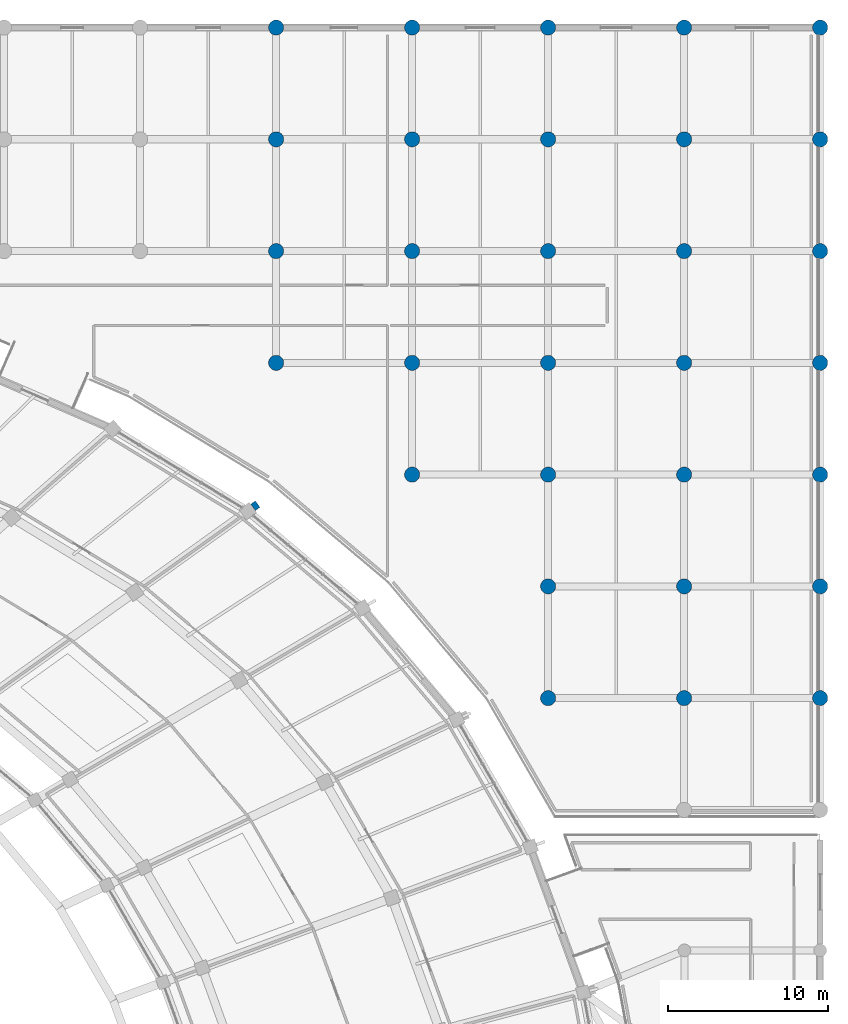
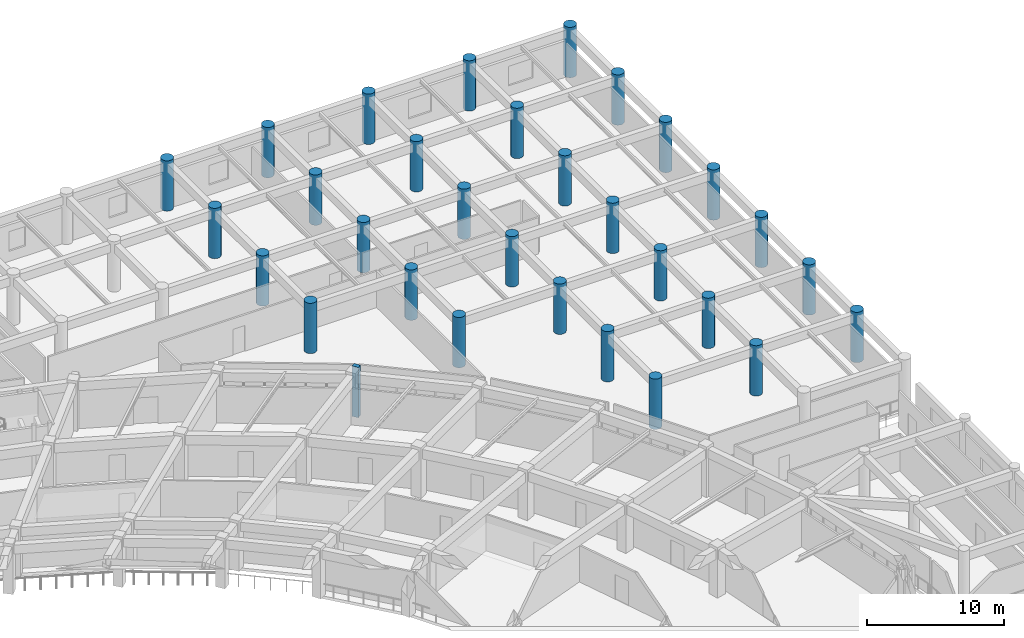
# One storey, part 10 of 145: 31 columns.
"""IFC4 building model written with IfcOpenShell, lengths in metres."""

from ifc_helpers import new_model, si_unit, direction, frame, origin, origin_2d, place, context, subcontext, project, spatial, rectangle, circle, extrude, material, material_profile, profile_set, type_object, element, save


model = new_model("IFC4")

# Units and contexts
model_context = context("Model", 3, precision=1e-05, world=origin(), true_north=direction((0.0, 1.0)))
body_context = subcontext(model_context, "Body", "Model", "MODEL_VIEW")
ifc_project = project(units=[si_unit("LENGTHUNIT", "METRE"), si_unit("AREAUNIT", "SQUARE_METRE"), si_unit("VOLUMEUNIT", "CUBIC_METRE"), si_unit("PLANEANGLEUNIT", "RADIAN"), si_unit("MASSUNIT", "GRAM", prefix="KILO")], contexts=[model_context])

# Site, building, storey
site_placement = place(None, origin())
site = spatial("IfcSite", under=ifc_project, at=site_placement, CompositionType="ELEMENT")
building_placement = place(site_placement, origin())
building = spatial("IfcBuilding", under=site, at=building_placement, Name="Mphavela Belvedere Stadium", CompositionType="ELEMENT")
storey_placement = place(building_placement, frame((0.0, 0.0, 10.199951171875)))
storey = spatial("IfcBuildingStorey", under=building, at=storey_placement, Name="L02", CompositionType="ELEMENT", Elevation=10.199951171875)

# Columns
ifc_material_1 = material(Name="Concrete C40/50", Category="concrete")
ifc_material_profile_1 = material_profile(ifc_material_1, circle(Radius=0.47509765625, at=origin_2d()), Name="COL D950")
ifc_profile_set_1 = profile_set([ifc_material_profile_1], Name="Concrete C40/50")
column_type_1 = type_object("IfcColumnType", Name="COL-DORIC-950", PredefinedType="COLUMN", material=ifc_profile_set_1)
for number, where, z_axis, x_axis, name in (
    (1, (195.926025390625, 153.0, 0.0), (0.0, 0.0, 1.0), (1.0, 0.0, 0.0), "North Mast and Ceremonial End Forecourt classical column L02 24-5"),
    (2, (195.926025390625, 160.0, 0.0), (0.0, 0.0, 1.0), (1.0, 0.0, 0.0), "North Mast and Ceremonial End Forecourt classical column L02 24-6"),
    (3, (195.926025390625, 167.0, 0.0), (0.0, 0.0, 1.0), (1.0, 0.0, 0.0), "North Mast and Ceremonial End Forecourt classical column L02 24-7"),
    (4, (195.926025390625, 174.0, 0.0), (0.0, 0.0, 1.0), (1.0, 0.0, 0.0), "North Mast and Ceremonial End Forecourt classical column L02 24-8"),
    (5, (204.444091796875, 146.0, 0.0), (0.0, 0.0, 1.0), (1.0, 0.0, 0.0), "North Mast and Ceremonial End Forecourt classical column L02 25-4"),
    (6, (204.444091796875, 153.0, 0.0), (0.0, 0.0, 1.0), (1.0, 0.0, 0.0), "North Mast and Ceremonial End Forecourt classical column L02 25-5"),
    (7, (204.444091796875, 160.0, 0.0), (0.0, 0.0, 1.0), (1.0, 0.0, 0.0), "North Mast and Ceremonial End Forecourt classical column L02 25-6"),
    (8, (204.444091796875, 167.0, 0.0), (0.0, 0.0, 1.0), (1.0, 0.0, 0.0), "North Mast and Ceremonial End Forecourt classical column L02 25-7"),
    (9, (204.444091796875, 174.0, 0.0), (0.0, 0.0, 1.0), (1.0, 0.0, 0.0), "North Mast and Ceremonial End Forecourt classical column L02 25-8"),
    (10, (212.962890625, 132.0, 0.0), (0.0, 0.0, 1.0), (1.0, 0.0, 0.0), "North Mast and Ceremonial End Forecourt classical column L02 26-2"),
    (11, (212.962890625, 139.0, 0.0), (0.0, 0.0, 1.0), (1.0, 0.0, 0.0), "North Mast and Ceremonial End Forecourt classical column L02 26-3"),
    (12, (212.962890625, 146.0, 0.0), (0.0, 0.0, 1.0), (1.0, 0.0, 0.0), "North Mast and Ceremonial End Forecourt classical column L02 26-4"),
    (13, (212.962890625, 153.0, 0.0), (0.0, 0.0, 1.0), (1.0, 0.0, 0.0), "North Mast and Ceremonial End Forecourt classical column L02 26-5"),
    (14, (212.962890625, 160.0, 0.0), (0.0, 0.0, 1.0), (1.0, 0.0, 0.0), "North Mast and Ceremonial End Forecourt classical column L02 26-6"),
    (15, (212.962890625, 167.0, 0.0), (0.0, 0.0, 1.0), (1.0, 0.0, 0.0), "North Mast and Ceremonial End Forecourt classical column L02 26-7"),
    (16, (212.962890625, 174.0, 0.0), (0.0, 0.0, 1.0), (1.0, 0.0, 0.0), "North Mast and Ceremonial End Forecourt classical column L02 26-8"),
    (17, (221.48095703125, 132.0, 0.0), (0.0, 0.0, 1.0), (1.0, 0.0, 0.0), "North Mast and Ceremonial End Forecourt classical column L02 27-2"),
    (18, (221.48095703125, 139.0, 0.0), (0.0, 0.0, 1.0), (1.0, 0.0, 0.0), "North Mast and Ceremonial End Forecourt classical column L02 27-3"),
    (19, (221.48095703125, 146.0, 0.0), (0.0, 0.0, 1.0), (1.0, 0.0, 0.0), "North Mast and Ceremonial End Forecourt classical column L02 27-4"),
    (20, (221.48095703125, 153.0, 0.0), (0.0, 0.0, 1.0), (1.0, 0.0, 0.0), "North Mast and Ceremonial End Forecourt classical column L02 27-5"),
    (21, (221.48095703125, 160.0, 0.0), (0.0, 0.0, 1.0), (1.0, 0.0, 0.0), "North Mast and Ceremonial End Forecourt classical column L02 27-6"),
    (22, (221.48095703125, 167.0, 0.0), (0.0, 0.0, 1.0), (1.0, 0.0, 0.0), "North Mast and Ceremonial End Forecourt classical column L02 27-7"),
    (23, (221.48095703125, 174.0, 0.0), (0.0, 0.0, 1.0), (1.0, 0.0, 0.0), "North Mast and Ceremonial End Forecourt classical column L02 27-8"),
    (24, (230.0, 132.0, 0.0), (0.0, 0.0, 1.0), (1.0, 0.0, 0.0), "North Mast and Ceremonial End Forecourt classical column L02 28-2"),
    (25, (230.0, 139.0, 0.0), (0.0, 0.0, 1.0), (1.0, 0.0, 0.0), "North Mast and Ceremonial End Forecourt classical column L02 28-3"),
    (26, (230.0, 146.0, 0.0), (0.0, 0.0, 1.0), (1.0, 0.0, 0.0), "North Mast and Ceremonial End Forecourt classical column L02 28-4"),
    (27, (230.0, 153.0, 0.0), (0.0, 0.0, 1.0), (1.0, 0.0, 0.0), "North Mast and Ceremonial End Forecourt classical column L02 28-5"),
    (28, (230.0, 160.0, 0.0), (0.0, 0.0, 1.0), (1.0, 0.0, 0.0), "North Mast and Ceremonial End Forecourt classical column L02 28-6"),
    (29, (230.0, 167.0, 0.0), (0.0, 0.0, 1.0), (1.0, 0.0, 0.0), "North Mast and Ceremonial End Forecourt classical column L02 28-7"),
    (30, (230.0, 174.0, 0.0), (0.0, 0.0, 1.0), (1.0, 0.0, 0.0), "North Mast and Ceremonial End Forecourt classical column L02 28-8"),
):
    element("IfcColumn", number, at=place(storey_placement, frame(where, z_axis=z_axis, x_axis=x_axis)), inside=storey, type_object=column_type_1, Name=name, PredefinedType="COLUMN", context=body_context, shape_type="SweptSolid", body=[
        extrude(circle(Radius=0.47509765625, at=origin_2d()), origin(), (0.0, 0.0, 1.0), 4.5),
    ])
ifc_material_2 = material(Name="Concrete C40/50", Category="concrete")
ifc_material_profile_2 = material_profile(ifc_material_2, rectangle(XDim=0.5, YDim=0.35009765625, at=origin_2d()), Name="PIL 500x350")
ifc_profile_set_2 = profile_set([ifc_material_profile_2], Name="Concrete C40/50")
column_type_2 = type_object("IfcColumnType", Name="PIL-FLUTED-500", PredefinedType="PILASTER", material=ifc_profile_set_2)
column_placement = place(storey_placement, frame((194.62548828125, 144.051025390625, 0.0), z_axis=(0.0, 0.0, 1.0), x_axis=(-0.582406760395, 0.812897512265, 0.0)))
element("IfcColumn", 31, at=column_placement, inside=storey, type_object=column_type_2, Name="Fluted classical pilaster L02-07", PredefinedType="PILASTER", context=body_context, shape_type="SweptSolid", body=[
    extrude(rectangle(XDim=0.5, YDim=0.35009765625, at=origin_2d()), origin(), (0.0, 0.0, 1.0), 4.5),
])

save(model, "model.ifc")
